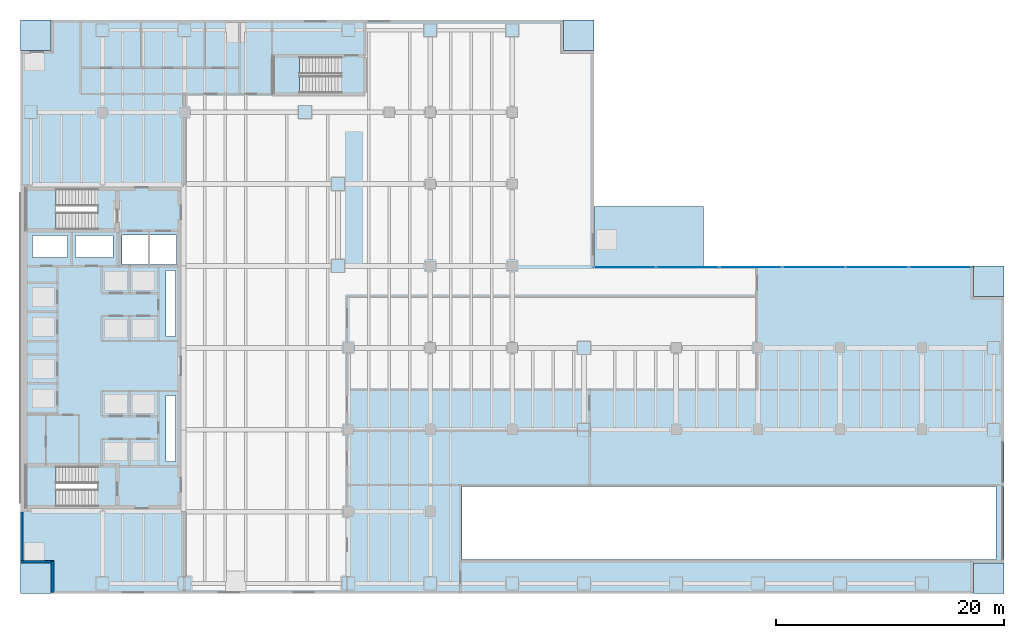
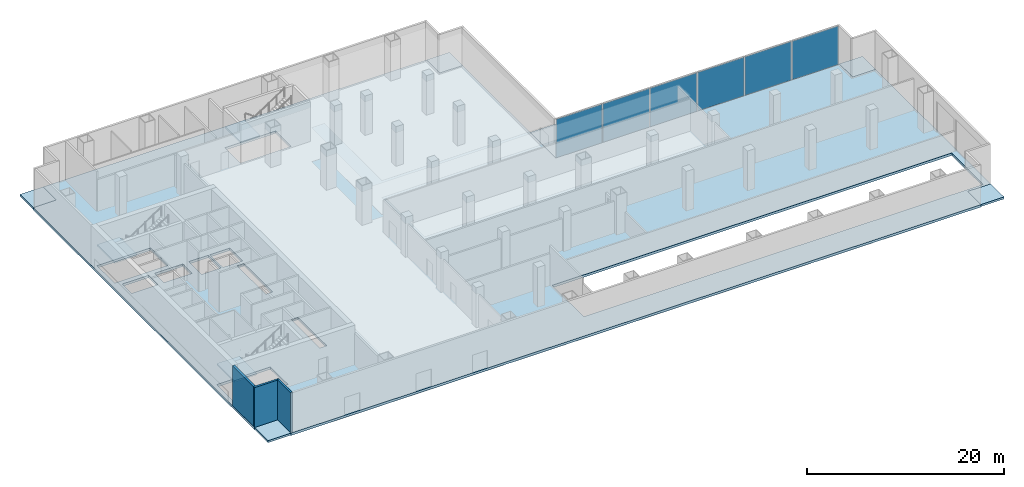
# One storey, part 8 of 17: 10 slabs, 6 plates, 3 walls, 10 openings, 4 elements without a shape of their own.
"""IFC4 building model written with IfcOpenShell, lengths in metres."""

from ifc_helpers import new_model, si_unit, direction, frame, frame_2d, origin, origin_2d, place, context, subcontext, project, spatial, polyline, rectangle, outline, extrude, material, layer, layer_set, type_object, element, aggregate, save


model = new_model("IFC4")

# Units and contexts
model_context = context("Model", 3, precision=1e-05, world=origin(), true_north=direction((0.0, 1.0)))
body_context = subcontext(model_context, "Body", "Model", "MODEL_VIEW")
ifc_project = project(units=[si_unit("LENGTHUNIT", "METRE"), si_unit("AREAUNIT", "SQUARE_METRE"), si_unit("VOLUMEUNIT", "CUBIC_METRE"), si_unit("PLANEANGLEUNIT", "RADIAN"), si_unit("MASSUNIT", "GRAM", prefix="KILO")], contexts=[model_context])

# Site, building, storey
site_placement = place(None, origin())
site = spatial("IfcSite", under=ifc_project, at=site_placement, CompositionType="ELEMENT")
building_placement = place(site_placement, origin())
building = spatial("IfcBuilding", under=site, at=building_placement, Name="Cobrela Telecom Tower", CompositionType="ELEMENT")
storey_placement = place(building_placement, origin())
storey = spatial("IfcBuildingStorey", under=building, at=storey_placement, Name="L00", CompositionType="ELEMENT", Elevation=0.0)

# Curtain wall, plates
ifc_material_1 = material(Name="Anodized Bronze Aluminium 6063-T6", Category="aluminium")
curtain_wall_type = type_object("IfcCurtainWallType", Name="CW-SYS-CONC", PredefinedType="USERDEFINED", material=ifc_material_1)
curtain_wall_placement = place(storey_placement, origin())
curtain_wall = element("IfcCurtainWall", 1, at=curtain_wall_placement, inside=storey, type_object=curtain_wall_type, Name="L00 Concourse Curtain Wall 11", ObjectType="UNITISED CURTAIN WALL", PredefinedType="USERDEFINED")
ifc_material_2 = material(Name="Solar-Control Bronze Low-E Glass", Category="glass")
ifc_layer_1 = layer(ifc_material_2, 0.0419921875)
ifc_layer_set_1 = layer_set([ifc_layer_1], Name="Solar-Control Bronze Low-E Glass")
plate_type = type_object("IfcPlateType", Name="CW-SYS-CONC-PNL", PredefinedType="CURTAIN_PANEL", material=ifc_layer_set_1)
plate_1_placement = place(storey_placement, frame((53.074951171875, 28.679931640625, 0.080078125), z_axis=(0.0, 0.0, 1.0), x_axis=(1.0, 0.0, 0.0)))
plate_1 = element("IfcPlate", 2, at=plate_1_placement, type_object=plate_type, Name="CW-CONC panel 1.1", PredefinedType="CURTAIN_PANEL", context=body_context, shape_type="SweptSolid", body=[
    extrude(rectangle(XDim=5.429931640625, YDim=0.0419921875, at=origin_2d()), origin(), (0.0, 0.0, 1.0), 4.7900390625),
])
plate_2_placement = place(storey_placement, frame((58.60498046875, 28.679931640625, 0.080078125), z_axis=(0.0, 0.0, 1.0), x_axis=(1.0, 0.0, 0.0)))
plate_2 = element("IfcPlate", 3, at=plate_2_placement, type_object=plate_type, Name="CW-CONC panel 2.1", PredefinedType="CURTAIN_PANEL", context=body_context, shape_type="SweptSolid", body=[
    extrude(rectangle(XDim=5.469970703125, YDim=0.0419921875, at=origin_2d()), origin(), (0.0, 0.0, 1.0), 4.7900390625),
])
plate_3_placement = place(storey_placement, frame((64.155029296875, 28.679931640625, 0.080078125), z_axis=(0.0, 0.0, 1.0), x_axis=(1.0, 0.0, 0.0)))
plate_3 = element("IfcPlate", 4, at=plate_3_placement, type_object=plate_type, Name="CW-CONC panel 3.1", PredefinedType="CURTAIN_PANEL", context=body_context, shape_type="SweptSolid", body=[
    extrude(rectangle(XDim=5.469970703125, YDim=0.0419921875, at=origin_2d()), origin(), (0.0, 0.0, 1.0), 4.7900390625),
])
plate_4_placement = place(storey_placement, frame((69.705078125, 28.679931640625, 0.080078125), z_axis=(0.0, 0.0, 1.0), x_axis=(1.0, 0.0, 0.0)))
plate_4 = element("IfcPlate", 5, at=plate_4_placement, type_object=plate_type, Name="CW-CONC panel 4.1", PredefinedType="CURTAIN_PANEL", context=body_context, shape_type="SweptSolid", body=[
    extrude(rectangle(XDim=5.469970703125, YDim=0.0419921875, at=origin_2d()), origin(), (0.0, 0.0, 1.0), 4.7900390625),
])
plate_5_placement = place(storey_placement, frame((75.2548828125, 28.679931640625, 0.080078125), z_axis=(0.0, 0.0, 1.0), x_axis=(1.0, 0.0, 0.0)))
plate_5 = element("IfcPlate", 6, at=plate_5_placement, type_object=plate_type, Name="CW-CONC panel 5.1", PredefinedType="CURTAIN_PANEL", context=body_context, shape_type="SweptSolid", body=[
    extrude(rectangle(XDim=5.469970703125, YDim=0.0419921875, at=origin_2d()), origin(), (0.0, 0.0, 1.0), 4.7900390625),
])
plate_6_placement = place(storey_placement, frame((80.784912109375, 28.679931640625, 0.080078125), z_axis=(0.0, 0.0, 1.0), x_axis=(1.0, 0.0, 0.0)))
plate_6 = element("IfcPlate", 7, at=plate_6_placement, type_object=plate_type, Name="CW-CONC panel 6.1", PredefinedType="CURTAIN_PANEL", context=body_context, shape_type="SweptSolid", body=[
    extrude(rectangle(XDim=5.429931640625, YDim=0.0419921875, at=origin_2d()), origin(), (0.0, 0.0, 1.0), 4.7900390625),
])
aggregate(curtain_wall, [plate_1, plate_2, plate_3, plate_4, plate_5, plate_6])

# Slab, openings
ifc_material_3 = material(Name="Concrete C40/50", Category="concrete")
ifc_layer_2 = layer(ifc_material_3, 0.300048828125)
ifc_layer_set_2 = layer_set([ifc_layer_2], Name="Concrete C40/50")
slab_type_1 = type_object("IfcSlabType", Name="SLAB-FLR-300", PredefinedType="FLOOR", material=ifc_layer_set_2)
slab_1_placement = place(storey_placement, frame((0.0, 0.0, -0.300048828125)))
slab_1 = element("IfcSlab", 8, at=slab_1_placement, inside=storey, type_object=slab_type_1, Name="L00 Structural Floor Slab", PredefinedType="FLOOR", context=body_context, shape_type="SweptSolid", body=[
    extrude(outline(polyline([(2.699951171875, 0.0), (83.699951171875, 0.0), (83.699951171875, 2.699951171875), (86.39990234375, 2.699951171875), (86.39990234375, 26.10009765625), (83.699951171875, 26.10009765625), (83.699951171875, 28.800048828125), (50.39990234375, 28.800048828125), (50.39990234375, 47.699951171875), (47.699951171875, 47.699951171875), (47.699951171875, 50.39990234375), (2.699951171875, 50.39990234375), (2.699951171875, 47.699951171875), (0.0, 47.699951171875), (0.0, 2.699951171875), (2.699951171875, 2.699951171875), (2.699951171875, 0.0)])), origin(), (0.0, 0.0, 1.0), 0.300048828125),
])
opening_1_placement = place(slab_1_placement, frame((0.0, 0.0, -0.02001953125)))
element("IfcOpeningElement", 9, at=opening_1_placement, cuts=slab_1, Name="Slab Shaft Opening SLAB-L00-MAIN.1", PredefinedType="OPENING", context=body_context, shape_type="SweptSolid", body=[
    extrude(outline(polyline([(8.89990234375, 28.89990234375), (11.199951171875, 28.89990234375), (11.199951171875, 31.5), (8.89990234375, 31.5), (8.89990234375, 28.89990234375)])), origin(), (0.0, 0.0, 1.0), 0.340087890625),
])
opening_2_placement = place(slab_1_placement, frame((0.0, 0.0, -0.02001953125)))
element("IfcOpeningElement", 10, at=opening_2_placement, cuts=slab_1, Name="Slab Shaft Opening SLAB-L00-MAIN.2", PredefinedType="OPENING", context=body_context, shape_type="SweptSolid", body=[
    extrude(outline(polyline([(11.39990234375, 28.89990234375), (13.699951171875, 28.89990234375), (13.699951171875, 31.5), (11.39990234375, 31.5), (11.39990234375, 28.89990234375)])), origin(), (0.0, 0.0, 1.0), 0.340087890625),
])
opening_3_placement = place(slab_1_placement, frame((0.0, 0.0, -0.02001953125)))
element("IfcOpeningElement", 11, at=opening_3_placement, cuts=slab_1, Name="Slab Shaft Opening SLAB-L00-MAIN.3", PredefinedType="OPENING", context=body_context, shape_type="SweptSolid", body=[
    extrude(outline(polyline([(1.050048828125, 29.550048828125), (4.14990234375, 29.550048828125), (4.14990234375, 31.449951171875), (1.050048828125, 31.449951171875), (1.050048828125, 29.550048828125)])), origin(), (0.0, 0.0, 1.0), 0.340087890625),
])
opening_4_placement = place(slab_1_placement, frame((0.0, 0.0, -0.02001953125)))
element("IfcOpeningElement", 12, at=opening_4_placement, cuts=slab_1, Name="Slab Shaft Opening SLAB-L00-MAIN.4", PredefinedType="OPENING", context=body_context, shape_type="SweptSolid", body=[
    extrude(outline(polyline([(4.85009765625, 29.550048828125), (8.14990234375, 29.550048828125), (8.14990234375, 31.449951171875), (4.85009765625, 31.449951171875), (4.85009765625, 29.550048828125)])), origin(), (0.0, 0.0, 1.0), 0.340087890625),
])
opening_5_placement = place(slab_1_placement, frame((0.0, 0.0, -0.02001953125)))
element("IfcOpeningElement", 13, at=opening_5_placement, cuts=slab_1, Name="Slab Shaft Opening SLAB-L00-MAIN.5", PredefinedType="OPENING", context=body_context, shape_type="SweptSolid", body=[
    extrude(outline(polyline([(12.800048828125, 22.60009765625), (13.60009765625, 22.60009765625), (13.60009765625, 28.39990234375), (12.800048828125, 28.39990234375), (12.800048828125, 22.60009765625)])), origin(), (0.0, 0.0, 1.0), 0.340087890625),
])
opening_6_placement = place(slab_1_placement, frame((0.0, 0.0, -0.02001953125)))
element("IfcOpeningElement", 14, at=opening_6_placement, cuts=slab_1, Name="Slab Shaft Opening SLAB-L00-MAIN.6", PredefinedType="OPENING", context=body_context, shape_type="SweptSolid", body=[
    extrude(outline(polyline([(12.800048828125, 11.60009765625), (13.60009765625, 11.60009765625), (13.60009765625, 17.39990234375), (12.800048828125, 17.39990234375), (12.800048828125, 11.60009765625)])), origin(), (0.0, 0.0, 1.0), 0.340087890625),
])
opening_7_placement = place(slab_1_placement, frame((0.0, 0.0, -0.02001953125)))
element("IfcOpeningElement", 15, at=opening_7_placement, cuts=slab_1, Name="Slab Shaft Opening SLAB-L00-MAIN.7", PredefinedType="OPENING", context=body_context, shape_type="SweptSolid", body=[
    extrude(outline(polyline([(38.800048828125, 3.0), (85.699951171875, 3.0), (85.699951171875, 9.39990234375), (38.800048828125, 9.39990234375), (38.800048828125, 3.0)])), origin(), (0.0, 0.0, 1.0), 0.340087890625),
])
opening_8_placement = place(slab_1_placement, frame((0.0, 0.0, -0.02001953125)))
element("IfcOpeningElement", 16, at=opening_8_placement, cuts=slab_1, Name="Slab Shaft Opening SLAB-L00-MAIN.8", PredefinedType="OPENING", context=body_context, shape_type="SweptSolid", body=[
    extrude(outline(polyline([(6.7548828125, 35.550048828125), (0.47998046875, 35.550048828125), (0.47998046875, 32.0), (6.7548828125, 32.0), (6.7548828125, 35.550048828125)])), origin(), (0.0, 0.0, 1.0), 0.340087890625),
])
opening_9_placement = place(slab_1_placement, frame((0.0, 0.0, -0.02001953125)))
element("IfcOpeningElement", 17, at=opening_9_placement, cuts=slab_1, Name="Slab Shaft Opening SLAB-L00-MAIN.9", PredefinedType="OPENING", context=body_context, shape_type="SweptSolid", body=[
    extrude(outline(polyline([(6.7548828125, 11.199951171875), (0.47998046875, 11.199951171875), (0.47998046875, 7.64990234375), (6.7548828125, 7.64990234375), (6.7548828125, 11.199951171875)])), origin(), (0.0, 0.0, 1.0), 0.340087890625),
])
opening_10_placement = place(slab_1_placement, frame((0.0, 0.0, -0.02001953125)))
element("IfcOpeningElement", 18, at=opening_10_placement, cuts=slab_1, Name="Slab Shaft Opening SLAB-L00-MAIN.10", PredefinedType="OPENING", context=body_context, shape_type="SweptSolid", body=[
    extrude(outline(polyline([(28.135009765625, 47.14990234375), (22.199951171875, 47.14990234375), (22.199951171875, 44.0), (28.135009765625, 44.0), (28.135009765625, 47.14990234375)])), origin(), (0.0, 0.0, 1.0), 0.340087890625),
])

# Stair, slab
stair_type = type_object("IfcStairType", Name="STAIR-CORE", PredefinedType="HALF_TURN_STAIR", material=ifc_material_3)
stair_1_placement = place(storey_placement, origin())
stair_1 = element("IfcStair", 19, at=stair_1_placement, inside=storey, type_object=stair_type, Name="L00 Smokeproof Exit Stair ST1", PredefinedType="HALF_TURN_STAIR")
ifc_layer_3 = layer(ifc_material_3, 0.199951171875)
ifc_layer_set_3 = layer_set([ifc_layer_3], Name="Concrete C40/50")
slab_type_2 = type_object("IfcSlabType", Name="SLAB-LAND-200", PredefinedType="LANDING", material=ifc_layer_set_3)
slab_2_placement = place(storey_placement, frame((0.0, 0.0, 2.425048828125)))
slab_2 = element("IfcSlab", 20, at=slab_2_placement, type_object=slab_type_2, Name="ST1 landing 1", PredefinedType="LANDING", context=body_context, shape_type="SweptSolid", body=[
    extrude(outline(polyline([(3.114990234375, 35.550048828125), (0.47998046875, 35.550048828125), (0.47998046875, 32.0), (3.114990234375, 32.0), (3.114990234375, 35.550048828125)])), origin(), (0.0, 0.0, 1.0), 0.199951171875),
])
aggregate(stair_1, [slab_2])

stair_2_placement = place(storey_placement, origin())
stair_2 = element("IfcStair", 21, at=stair_2_placement, inside=storey, type_object=stair_type, Name="L00 Smokeproof Exit Stair ST2", PredefinedType="HALF_TURN_STAIR")
slab_3_placement = place(storey_placement, frame((0.0, 0.0, 2.425048828125)))
slab_3 = element("IfcSlab", 22, at=slab_3_placement, type_object=slab_type_2, Name="ST2 landing 1", PredefinedType="LANDING", context=body_context, shape_type="SweptSolid", body=[
    extrude(outline(polyline([(3.114990234375, 11.199951171875), (0.47998046875, 11.199951171875), (0.47998046875, 7.64990234375), (3.114990234375, 7.64990234375), (3.114990234375, 11.199951171875)])), origin(), (0.0, 0.0, 1.0), 0.199951171875),
])
aggregate(stair_2, [slab_3])

stair_3_placement = place(storey_placement, origin())
stair_3 = element("IfcStair", 23, at=stair_3_placement, inside=storey, type_object=stair_type, Name="L00 Smokeproof Exit Stair ST3", PredefinedType="HALF_TURN_STAIR")
slab_4_placement = place(storey_placement, frame((0.0, 0.0, 2.425048828125)))
slab_4 = element("IfcSlab", 24, at=slab_4_placement, type_object=slab_type_2, Name="ST3 landing 1", PredefinedType="LANDING", context=body_context, shape_type="SweptSolid", body=[
    extrude(outline(polyline([(24.4951171875, 47.14990234375), (22.199951171875, 47.14990234375), (22.199951171875, 44.0), (24.4951171875, 44.0), (24.4951171875, 47.14990234375)])), origin(), (0.0, 0.0, 1.0), 0.199951171875),
])
aggregate(stair_3, [slab_4])

# Slabs
ifc_layer_4 = layer(ifc_material_3, 0.25)
ifc_layer_set_4 = layer_set([ifc_layer_4], Name="Concrete C40/50")
slab_type_3 = type_object("IfcSlabType", Name="SLAB-PAV-250", PredefinedType="USERDEFINED", material=ifc_layer_set_4)
slab_5_placement = place(storey_placement, frame((0.0, 0.0, -0.25)))
element("IfcSlab", 25, at=slab_5_placement, inside=storey, type_object=slab_type_3, Name="L00 South-East Corner Entry Apron", ObjectType="PAVING", PredefinedType="USERDEFINED", context=body_context, shape_type="SweptSolid", body=[
    extrude(outline(polyline([(83.699951171875, 0.0), (86.39990234375, 0.0), (86.39990234375, 2.699951171875), (83.699951171875, 2.699951171875), (83.699951171875, 0.0)])), origin(), (0.0, 0.0, 1.0), 0.25),
])
slab_6_placement = place(storey_placement, frame((0.0, 0.0, -0.25)))
element("IfcSlab", 26, at=slab_6_placement, inside=storey, type_object=slab_type_3, Name="L00 South-West Corner Entry Apron", ObjectType="PAVING", PredefinedType="USERDEFINED", context=body_context, shape_type="SweptSolid", body=[
    extrude(outline(polyline([(0.0, 0.0), (2.699951171875, 0.0), (2.699951171875, 2.699951171875), (0.0, 2.699951171875), (0.0, 0.0)])), origin(), (0.0, 0.0, 1.0), 0.25),
])
slab_7_placement = place(storey_placement, frame((0.0, 0.0, -0.25)))
element("IfcSlab", 27, at=slab_7_placement, inside=storey, type_object=slab_type_3, Name="L00 North-West Corner Entry Apron", ObjectType="PAVING", PredefinedType="USERDEFINED", context=body_context, shape_type="SweptSolid", body=[
    extrude(outline(polyline([(0.0, 47.699951171875), (2.699951171875, 47.699951171875), (2.699951171875, 50.39990234375), (0.0, 50.39990234375), (0.0, 47.699951171875)])), origin(), (0.0, 0.0, 1.0), 0.25),
])
slab_8_placement = place(storey_placement, frame((0.0, 0.0, -0.25)))
element("IfcSlab", 28, at=slab_8_placement, inside=storey, type_object=slab_type_3, Name="L00 North-East Podium Corner Apron", ObjectType="PAVING", PredefinedType="USERDEFINED", context=body_context, shape_type="SweptSolid", body=[
    extrude(outline(polyline([(47.699951171875, 47.699951171875), (50.39990234375, 47.699951171875), (50.39990234375, 50.39990234375), (47.699951171875, 50.39990234375), (47.699951171875, 47.699951171875)])), origin(), (0.0, 0.0, 1.0), 0.25),
])
slab_9_placement = place(storey_placement, frame((0.0, 0.0, -0.25)))
element("IfcSlab", 29, at=slab_9_placement, inside=storey, type_object=slab_type_3, Name="L00 East Wing Corner Apron", ObjectType="PAVING", PredefinedType="USERDEFINED", context=body_context, shape_type="SweptSolid", body=[
    extrude(outline(polyline([(83.699951171875, 26.10009765625), (86.39990234375, 26.10009765625), (86.39990234375, 28.800048828125), (83.699951171875, 28.800048828125), (83.699951171875, 26.10009765625)])), origin(), (0.0, 0.0, 1.0), 0.25),
])
slab_10_placement = place(storey_placement, frame((0.0, 0.0, -0.25)))
element("IfcSlab", 30, at=slab_10_placement, inside=storey, type_object=slab_type_3, Name="L00 Re-Entrant Concourse Plaza Apron", ObjectType="PAVING", PredefinedType="USERDEFINED", context=body_context, shape_type="SweptSolid", body=[
    extrude(outline(polyline([(50.39990234375, 28.800048828125), (60.0, 28.800048828125), (60.0, 34.0), (50.39990234375, 34.0), (50.39990234375, 28.800048828125)])), origin(), (0.0, 0.0, 1.0), 0.25),
])

# Walls
ifc_layer_5 = layer(ifc_material_3, 0.239990234375)
ifc_layer_set_5 = layer_set([ifc_layer_5], Name="Concrete C40/50")
wall_type = type_object("IfcWallType", Name="WALL-EXT-300", PredefinedType="STANDARD", material=ifc_layer_set_5)
wall_1_placement = place(storey_placement, frame((2.820068359375, 0.1201171875, 0.0), z_axis=(0.0, 0.0, 1.0), x_axis=(0.0, 1.0, 0.0)))
element("IfcWall", 31, at=wall_1_placement, inside=storey, type_object=wall_type, Name="L00 Concourse Exterior Portal Wall 01", PredefinedType="STANDARD", context=body_context, shape_type="SweptSolid", body=[
    extrude(rectangle(XDim=2.699951171875, YDim=0.239990234375, at=frame_2d((1.35009765625, 0.0))), origin(), (0.0, 0.0, 1.0), 4.949951171875),
])
wall_2_placement = place(storey_placement, frame((2.93994140625, 2.820068359375, 0.0), z_axis=(0.0, 0.0, 1.0), x_axis=(-1.0, 0.0, 0.0)))
element("IfcWall", 32, at=wall_2_placement, inside=storey, type_object=wall_type, Name="L00 Concourse Exterior Portal Wall 02", PredefinedType="STANDARD", context=body_context, shape_type="SweptSolid", body=[
    extrude(rectangle(XDim=2.93994140625, YDim=0.239990234375, at=frame_2d((1.469970703125, 0.0))), origin(), (0.0, 0.0, 1.0), 4.949951171875),
])
wall_3_placement = place(storey_placement, frame((0.1201171875, 2.820068359375, 0.0), z_axis=(0.0, 0.0, 1.0), x_axis=(0.0, 1.0, 0.0)))
element("IfcWall", 33, at=wall_3_placement, inside=storey, type_object=wall_type, Name="L00 Concourse Exterior Portal Wall 03", PredefinedType="STANDARD", context=body_context, shape_type="SweptSolid", body=[
    extrude(rectangle(XDim=4.3798828125, YDim=0.239990234375, at=frame_2d((2.18994140625, 0.0))), origin(), (0.0, 0.0, 1.0), 4.949951171875),
])

save(model, "model.ifc")
